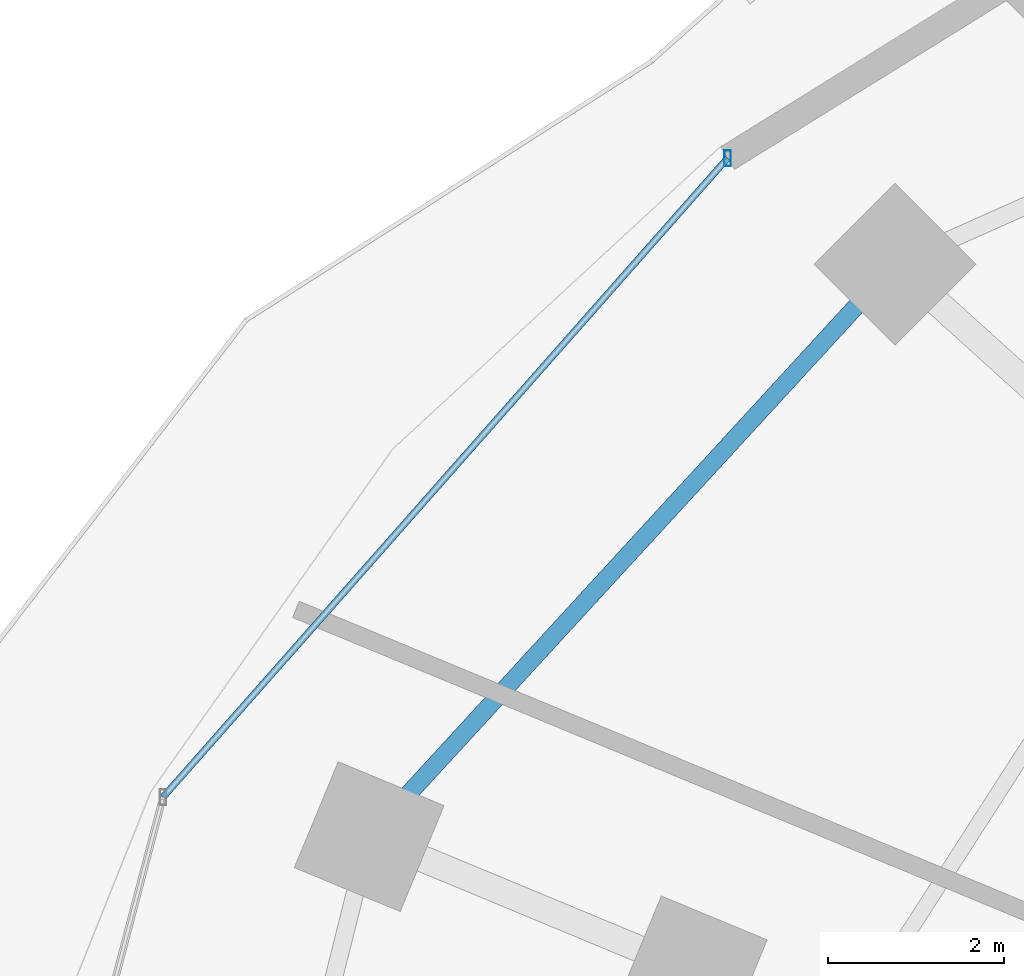
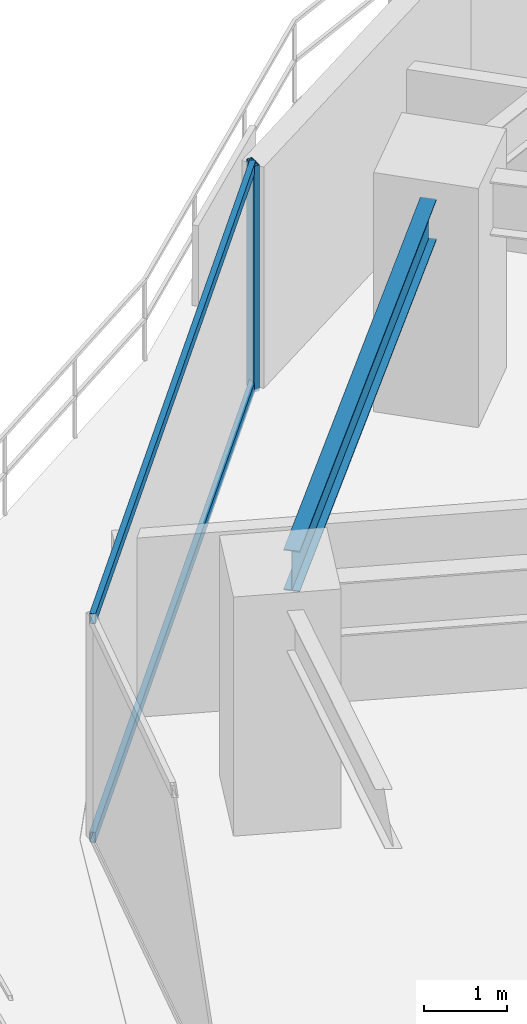
# One storey, part 19 of 34: 3 members, 1 beam, 1 element without a shape of its own.
"""IFC4 building model written with IfcOpenShell, lengths in metres."""

from ifc_helpers import new_model, si_unit, direction, frame, origin, origin_2d, place, context, subcontext, project, spatial, hollow_rectangle, i_section, extrude, material, material_profile, profile_set, type_object, element, aggregate, save


model = new_model("IFC4")

# Units and contexts
model_context = context("Model", 3, precision=1e-05, world=origin(), true_north=direction((0.0, 1.0)))
body_context = subcontext(model_context, "Body", "Model", "MODEL_VIEW")
ifc_project = project(units=[si_unit("LENGTHUNIT", "METRE"), si_unit("AREAUNIT", "SQUARE_METRE"), si_unit("VOLUMEUNIT", "CUBIC_METRE"), si_unit("PLANEANGLEUNIT", "RADIAN"), si_unit("MASSUNIT", "GRAM", prefix="KILO")], contexts=[model_context])

# Site, building, storey
site_placement = place(None, origin())
site = spatial("IfcSite", under=ifc_project, at=site_placement, CompositionType="ELEMENT")
building_placement = place(site_placement, origin())
building = spatial("IfcBuilding", under=site, at=building_placement, Name="Vorneva Point Tower", CompositionType="ELEMENT")
storey_placement = place(building_placement, frame((0.0, 0.0, 27.5)))
storey = spatial("IfcBuildingStorey", under=building, at=storey_placement, Name="L06", CompositionType="ELEMENT", Elevation=27.5)

# Beam
ifc_material_1 = material(Name="Steel S355", Category="steel")
ifc_material_profile_1 = material_profile(ifc_material_1, i_section(OverallWidth=0.198974609375, OverallDepth=0.595947265625, WebThickness=0.010009765625, FlangeThickness=0.014892578125, at=origin_2d()), Name="60B1")
ifc_profile_set_1 = profile_set([ifc_material_profile_1], Name="Steel S355")
beam_type = type_object("IfcBeamType", Name="BM-SPN-60B1", PredefinedType="SPANDREL", material=ifc_profile_set_1)
beam_placement = place(storey_placement, frame((18.572998046875, 40.132080078125, 2.94189453125), z_axis=(-0.676348412786, -0.736581851882, 0.0), x_axis=(0.736581851882, -0.676348412786, 0.0)))
element("IfcBeam", 1, at=beam_placement, inside=storey, type_object=beam_type, Name="L06 Perimeter Spandrel Ring Beam 07", PredefinedType="SPANDREL", context=body_context, shape_type="SweptSolid", body=[
    extrude(i_section(OverallWidth=0.198974609375, OverallDepth=0.595947265625, WebThickness=0.010009765625, FlangeThickness=0.014892578125, at=origin_2d()), origin(), (0.0, 0.0, 1.0), 7.547119140625),
])

# Curtain wall, members
ifc_material_2 = material(Name="Pale anodised aluminium", Category="aluminium")
curtain_wall_type = type_object("IfcCurtainWallType", Name="CW-HTL-SYS", PredefinedType="NOTDEFINED", material=ifc_material_2)
curtain_wall_placement = place(storey_placement, origin())
curtain_wall = element("IfcCurtainWall", 2, at=curtain_wall_placement, inside=storey, type_object=curtain_wall_type, Name="L06 Unitised Curtain Wall CW-L06-R03", PredefinedType="NOTDEFINED")
ifc_material_profile_2 = material_profile(ifc_material_2, hollow_rectangle(XDim=0.074951171875, YDim=0.179931640625, WallThickness=0.00390625, at=origin_2d()), Name="AL-MUL 180x75x4")
ifc_profile_set_2 = profile_set([ifc_material_profile_2], Name="Pale anodised aluminium")
member_type_1 = type_object("IfcMemberType", Name="CW-MUL-180", PredefinedType="MULLION", material=ifc_profile_set_2)
member_1_placement = place(storey_placement, frame((17.10498046875, 41.8037109375, -0.0400390625), z_axis=(0.0, 0.0, 1.0), x_axis=(1.0, 0.0, 0.0)))
member_1 = element("IfcMember", 3, at=member_1_placement, type_object=member_type_1, Name="CW-L06-R03 Mullion 01", PredefinedType="MULLION", context=body_context, shape_type="SweptSolid", body=[
    extrude(hollow_rectangle(XDim=0.074951171875, YDim=0.179931640625, WallThickness=0.00390625, at=origin_2d()), origin(), (0.0, 0.0, 1.0), 3.31005859375),
])
ifc_material_profile_3 = material_profile(ifc_material_2, hollow_rectangle(XDim=0.074951171875, YDim=0.14990234375, WallThickness=0.00390625, at=origin_2d()), Name="AL-TRN 150x75x4")
ifc_profile_set_3 = profile_set([ifc_material_profile_3], Name="Pale anodised aluminium")
member_type_2 = type_object("IfcMemberType", Name="CW-TRN-150", PredefinedType="USERDEFINED", material=ifc_profile_set_3)
member_2_placement = place(storey_placement, frame((17.10498046875, 41.8037109375, 0.02001953125), z_axis=(-0.662075539029, -0.749437109182, 0.0), x_axis=(0.749437109182, -0.662075539029, 0.0)))
member_2 = element("IfcMember", 4, at=member_2_placement, type_object=member_type_2, Name="CW-L06-R03 Transom 01.1", ObjectType="TRANSOM", PredefinedType="USERDEFINED", context=body_context, shape_type="SweptSolid", body=[
    extrude(hollow_rectangle(XDim=0.074951171875, YDim=0.14990234375, WallThickness=0.00390625, at=origin_2d()), origin(), (0.0, 0.0, 1.0), 9.6748046875),
])
member_3_placement = place(storey_placement, frame((17.10498046875, 41.8037109375, 3.219970703125), z_axis=(-0.662075539029, -0.749437109182, 0.0), x_axis=(0.749437109182, -0.662075539029, 0.0)))
member_3 = element("IfcMember", 5, at=member_3_placement, type_object=member_type_2, Name="CW-L06-R03 Transom 01.2", ObjectType="TRANSOM", PredefinedType="USERDEFINED", context=body_context, shape_type="SweptSolid", body=[
    extrude(hollow_rectangle(XDim=0.074951171875, YDim=0.14990234375, WallThickness=0.00390625, at=origin_2d()), origin(), (0.0, 0.0, 1.0), 9.6748046875),
])
aggregate(curtain_wall, [member_1, member_2, member_3])

save(model, "model.ifc")
